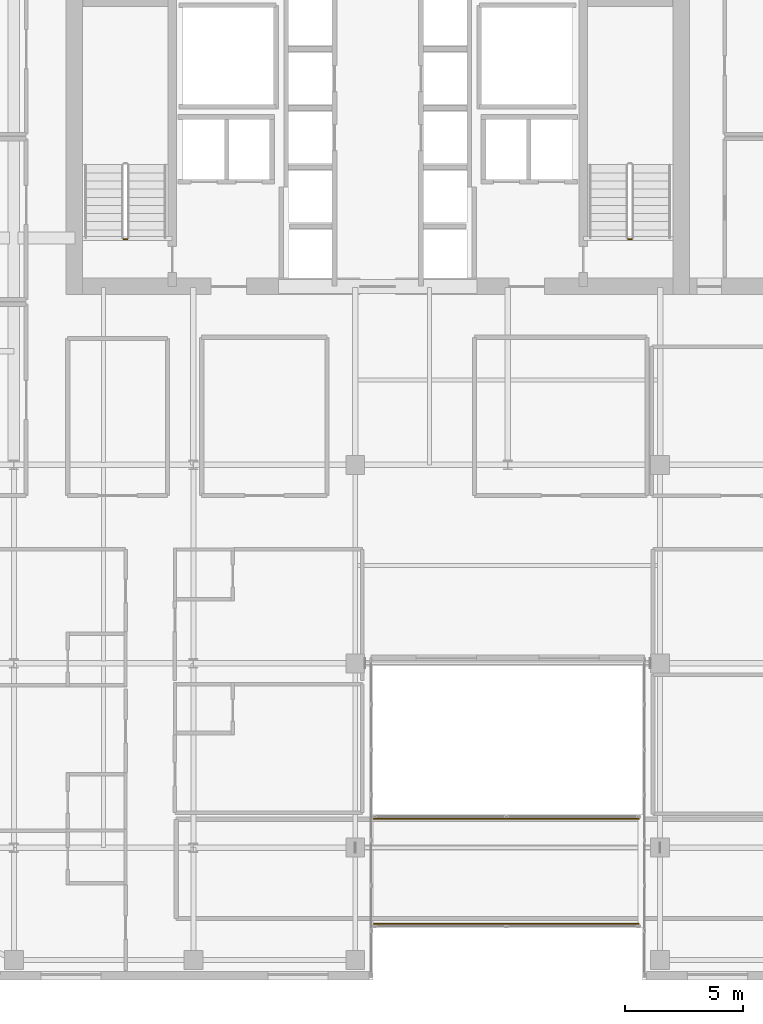
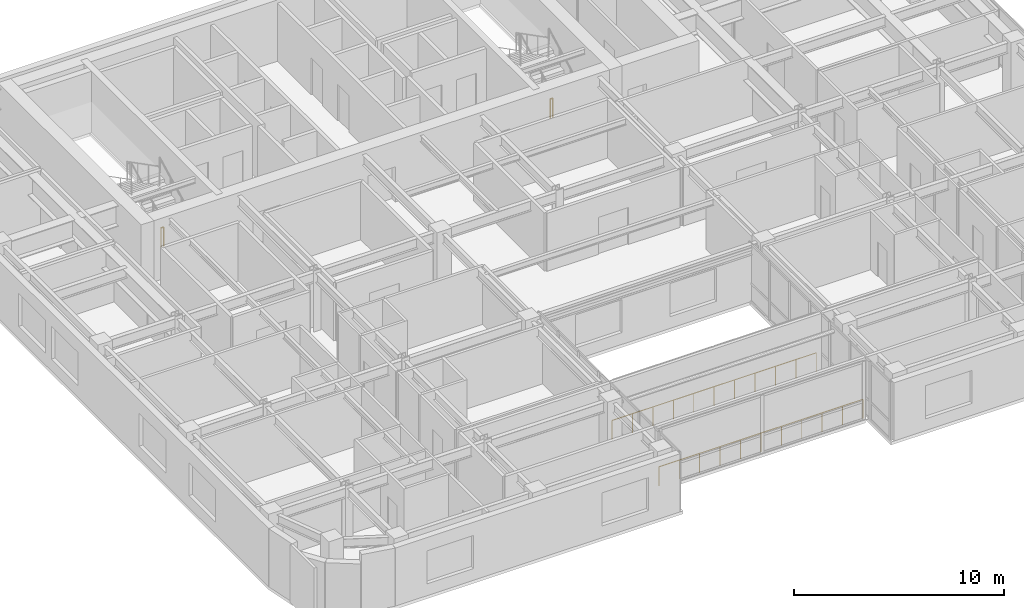
# One storey, part 19 of 20: 4 railings.
"""IFC4 building model written with IfcOpenShell, lengths in metres."""

from ifc_helpers import new_model, si_unit, direction, frame, origin, origin_2d, place, context, subcontext, project, spatial, circle, extrude, material, type_object, element, save


model = new_model("IFC4")

# Units and contexts
model_context = context("Model", 3, precision=1e-05, world=origin(), true_north=direction((0.0, 1.0)))
body_context = subcontext(model_context, "Body", "Model", "MODEL_VIEW")
ifc_project = project(units=[si_unit("LENGTHUNIT", "METRE"), si_unit("AREAUNIT", "SQUARE_METRE"), si_unit("VOLUMEUNIT", "CUBIC_METRE"), si_unit("PLANEANGLEUNIT", "RADIAN"), si_unit("MASSUNIT", "GRAM", prefix="KILO")], contexts=[model_context])

# Site, building, storey
site_placement = place(None, origin())
site = spatial("IfcSite", under=ifc_project, at=site_placement, CompositionType="ELEMENT")
building_placement = place(site_placement, origin())
building = spatial("IfcBuilding", under=site, at=building_placement, Name="Tolvann Quenvar Hotel", CompositionType="ELEMENT")
storey_placement = place(building_placement, frame((0.0, 0.0, 171.89990234375)))
storey = spatial("IfcBuildingStorey", under=building, at=storey_placement, Name="L45", CompositionType="ELEMENT", Elevation=171.89990234375)

# Railings
ifc_material_1 = material(Name="Brushed 316 stainless steel balustrade and handrail", Category="steel")
railing_type_1 = type_object("IfcRailingType", Name="GUARDRAIL", PredefinedType="GUARDRAIL", material=ifc_material_1)
for number, where, name in (
    (1, (12.39990234375, 33.949951171875, 0.0), "L45 ST-C1 stair guard 4"),
    (2, (33.75, 33.949951171875, 0.0), "L45 ST-C2 stair guard 4"),
):
    element("IfcRailing", number, at=place(storey_placement, frame(where)), inside=storey, type_object=railing_type_1, Name=name, PredefinedType="GUARDRAIL", context=body_context, shape_type="SweptSolid", body=[
        extrude(circle(Radius=0.02392578125, at=origin_2d()), frame((0.0, 0.0, 1.09619140625), z_axis=(-1.0, 0.0, 0.0), x_axis=(0.0, -1.0, 0.0)), (0.0, 0.0, 1.0), 0.14990234375),
        extrude(circle(Radius=0.02099609375, at=origin_2d()), origin(), (0.0, 0.0, 1.0), 1.072021484375),
        extrude(circle(Radius=0.02099609375, at=origin_2d()), frame((-0.14990234375, 0.0, 0.0)), (0.0, 0.0, 1.0), 1.072021484375),
    ])
ifc_material_2 = material(Name="Brushed 316 marine-grade stainless steel balustrade and laminated safety glass", Category="steel")
railing_type_2 = type_object("IfcRailingType", Name="RAIL_BAL_1100", PredefinedType="BALUSTRADE", material=ifc_material_2)
for number, where, name in (
    (3, (22.840087890625, 4.97998046875, 0.0), "Safety Balustrade BAL-BRG-L45-S"),
    (4, (22.840087890625, 9.419921875, 0.0), "Safety Balustrade BAL-BRG-L45-N"),
):
    element("IfcRailing", number, at=place(storey_placement, frame(where)), inside=storey, type_object=railing_type_2, Name=name, PredefinedType="BALUSTRADE", context=body_context, shape_type="SweptSolid", body=[
        extrude(circle(Radius=0.02490234375, at=origin_2d()), frame((0.0, 0.0, 1.09521484375), z_axis=(1.0, 0.0, 0.0), x_axis=(0.0, 1.0, 0.0)), (0.0, 0.0, 1.0), 11.199951171875),
        extrude(circle(Radius=0.02197265625, at=origin_2d()), origin(), (0.0, 0.0, 1.0), 1.070068359375),
        extrude(circle(Radius=0.02197265625, at=origin_2d()), frame((1.1201171875, 0.0, 0.0)), (0.0, 0.0, 1.0), 1.070068359375),
        extrude(circle(Radius=0.02197265625, at=origin_2d()), frame((2.239990234375, 0.0, 0.0)), (0.0, 0.0, 1.0), 1.070068359375),
        extrude(circle(Radius=0.02197265625, at=origin_2d()), frame((3.35986328125, 0.0, 0.0)), (0.0, 0.0, 1.0), 1.070068359375),
        extrude(circle(Radius=0.02197265625, at=origin_2d()), frame((4.47998046875, 0.0, 0.0)), (0.0, 0.0, 1.0), 1.070068359375),
        extrude(circle(Radius=0.02197265625, at=origin_2d()), frame((5.60009765625, 0.0, 0.0)), (0.0, 0.0, 1.0), 1.070068359375),
        extrude(circle(Radius=0.02197265625, at=origin_2d()), frame((6.719970703125, 0.0, 0.0)), (0.0, 0.0, 1.0), 1.070068359375),
        extrude(circle(Radius=0.02197265625, at=origin_2d()), frame((7.83984375, 0.0, 0.0)), (0.0, 0.0, 1.0), 1.070068359375),
        extrude(circle(Radius=0.02197265625, at=origin_2d()), frame((8.9599609375, 0.0, 0.0)), (0.0, 0.0, 1.0), 1.070068359375),
        extrude(circle(Radius=0.02197265625, at=origin_2d()), frame((10.080078125, 0.0, 0.0)), (0.0, 0.0, 1.0), 1.070068359375),
        extrude(circle(Radius=0.02197265625, at=origin_2d()), frame((11.199951171875, 0.0, 0.0)), (0.0, 0.0, 1.0), 1.070068359375),
    ])

save(model, "model.ifc")
